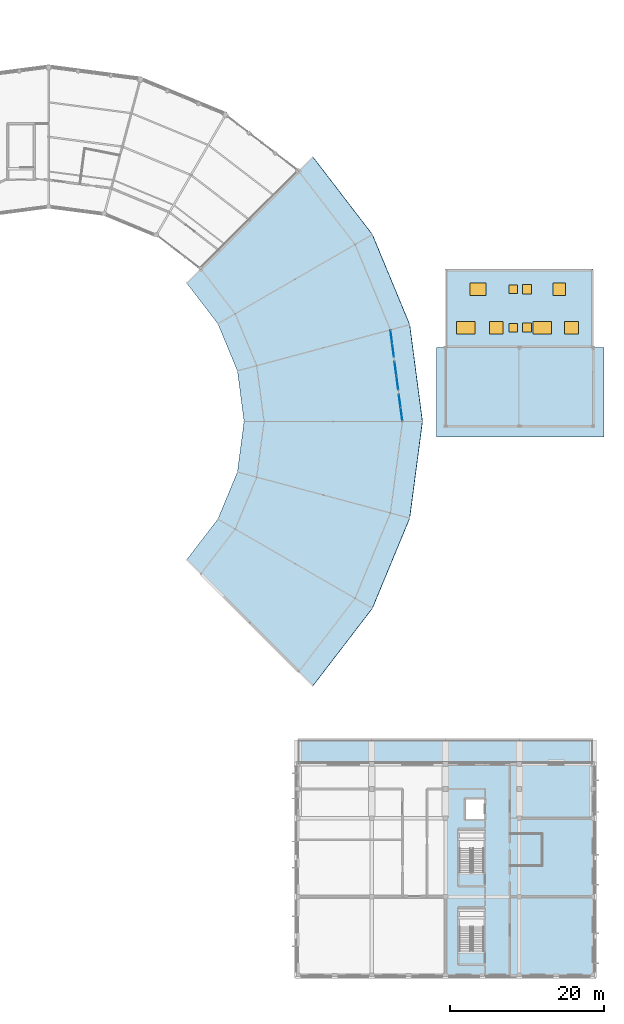
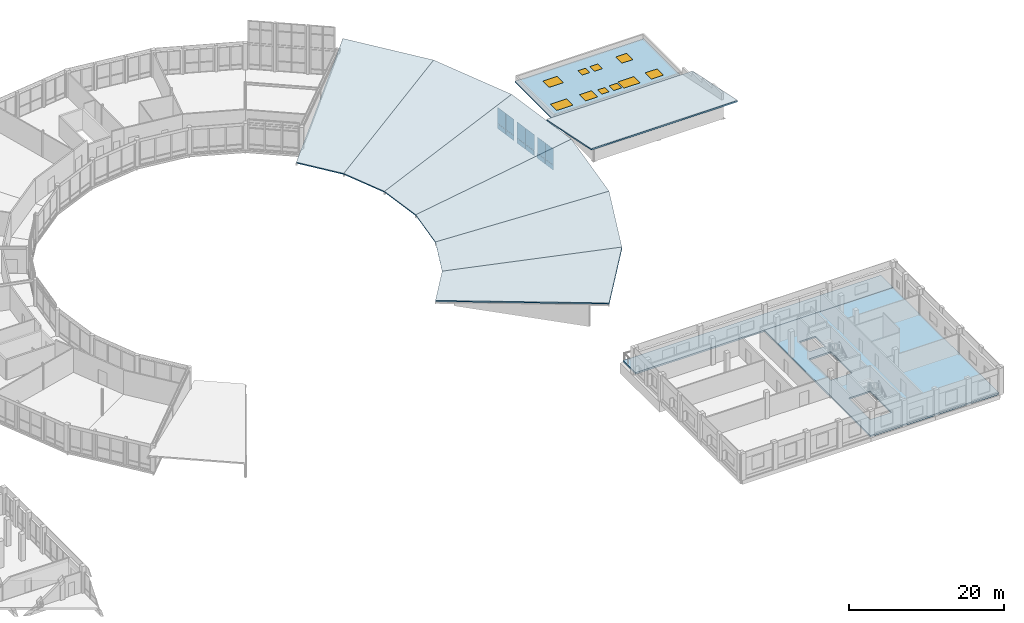
# One storey, part 141 of 200: 12 plates, 10 slabs, 6 windows, 4 doors, 10 openings, 3 elements without a shape of their own.
"""IFC4 building model written with IfcOpenShell, lengths in metres."""

from ifc_helpers import new_model, si_unit, direction, frame, origin, origin_2d, place, context, subcontext, project, spatial, polyline, rectangle, outline, extrude, material, layer, layer_set, type_object, element, fill, aggregate, save


model = new_model("IFC4")

# Units and contexts
model_context = context("Model", 3, precision=1e-05, world=origin(), true_north=direction((0.0, 1.0)))
body_context = subcontext(model_context, "Body", "Model", "MODEL_VIEW")
ifc_project = project(units=[si_unit("LENGTHUNIT", "METRE"), si_unit("AREAUNIT", "SQUARE_METRE"), si_unit("VOLUMEUNIT", "CUBIC_METRE"), si_unit("PLANEANGLEUNIT", "RADIAN"), si_unit("MASSUNIT", "GRAM", prefix="KILO")], contexts=[model_context])

# Site, building, storey
site_placement = place(None, origin())
site = spatial("IfcSite", under=ifc_project, at=site_placement, CompositionType="ELEMENT")
building_placement = place(site_placement, origin())
building = spatial("IfcBuilding", under=site, at=building_placement, Name="Vondelvale Polytechnic", CompositionType="ELEMENT")
storey_placement = place(building_placement, frame((0.0, 0.0, 13.800048828125)))
storey = spatial("IfcBuildingStorey", under=building, at=storey_placement, Name="L03", CompositionType="ELEMENT", Elevation=13.800048828125)

# Curtain wall, plates
ifc_material_1 = material(Name="Glulam GL18 structural Tasmanian oak (fb = 42 MPa)", Category="wood")
curtain_wall_type = type_object("IfcCurtainWallType", Name="CW-RING-OUTER", PredefinedType="NOTDEFINED", material=ifc_material_1)
curtain_wall_1_placement = place(storey_placement, origin())
curtain_wall_1 = element("IfcCurtainWall", 1, at=curtain_wall_1_placement, inside=storey, type_object=curtain_wall_type, Name="L03 architectural curtain wall CW-04-382", PredefinedType="NOTDEFINED")
ifc_material_2 = material(Name="Double-glazed low-E insulated architectural glass", Category="glass")
ifc_layer_1 = layer(ifc_material_2, 0.028076171875)
ifc_layer_set_1 = layer_set([ifc_layer_1], Name="CW-PANEL-GLAZED")
plate_type_1 = type_object("IfcPlateType", Name="CW-PANEL-GLAZED", PredefinedType="CURTAIN_PANEL", material=ifc_layer_set_1)
plate_1_placement = place(storey_placement, frame((147.87939453125, 72.91650390625, 0.8798828125), z_axis=(0.0, 0.0, 1.0), x_axis=(-0.130518952959, 0.991445814414, 0.0)))
plate_1 = element("IfcPlate", 2, at=plate_1_placement, type_object=plate_type_1, Name="CW-04-382 panel 1.2", PredefinedType="CURTAIN_PANEL", context=body_context, shape_type="SweptSolid", body=[
    extrude(rectangle(XDim=1.688720703125, YDim=0.028076171875, at=origin_2d()), origin(), (0.0, 0.0, 1.0), 2.521484375),
])
plate_2_placement = place(storey_placement, frame((147.650390625, 74.6552734375, 0.8798828125), z_axis=(0.0, 0.0, 1.0), x_axis=(-0.130518952959, 0.991445814414, 0.0)))
plate_2 = element("IfcPlate", 3, at=plate_2_placement, type_object=plate_type_1, Name="CW-04-382 panel 2.2", PredefinedType="CURTAIN_PANEL", context=body_context, shape_type="SweptSolid", body=[
    extrude(rectangle(XDim=1.688720703125, YDim=0.028076171875, at=origin_2d()), origin(), (0.0, 0.0, 1.0), 2.521484375),
])

curtain_wall_2_placement = place(storey_placement, origin())
curtain_wall_2 = element("IfcCurtainWall", 4, at=curtain_wall_2_placement, inside=storey, type_object=curtain_wall_type, Name="L03 architectural curtain wall CW-04-383", PredefinedType="NOTDEFINED")
plate_3_placement = place(storey_placement, frame((147.338623046875, 77.02392578125, 0.8798828125), z_axis=(0.0, 0.0, 1.0), x_axis=(-0.130548808277, 0.991441883651, 0.0)))
plate_3 = element("IfcPlate", 5, at=plate_3_placement, type_object=plate_type_1, Name="CW-04-383 panel 1.2", PredefinedType="CURTAIN_PANEL", context=body_context, shape_type="SweptSolid", body=[
    extrude(rectangle(XDim=1.80908203125, YDim=0.028076171875, at=origin_2d()), origin(), (0.0, 0.0, 1.0), 2.521484375),
])
plate_4_placement = place(storey_placement, frame((147.093994140625, 78.8818359375, 0.8798828125), z_axis=(0.0, 0.0, 1.0), x_axis=(-0.130548808277, 0.991441883651, 0.0)))
plate_4 = element("IfcPlate", 6, at=plate_4_placement, type_object=plate_type_1, Name="CW-04-383 panel 2.2", PredefinedType="CURTAIN_PANEL", context=body_context, shape_type="SweptSolid", body=[
    extrude(rectangle(XDim=1.80908203125, YDim=0.028076171875, at=origin_2d()), origin(), (0.0, 0.0, 1.0), 2.521484375),
])

curtain_wall_3_placement = place(storey_placement, origin())
curtain_wall_3 = element("IfcCurtainWall", 7, at=curtain_wall_3_placement, inside=storey, type_object=curtain_wall_type, Name="L03 architectural curtain wall CW-04-384", PredefinedType="NOTDEFINED")
plate_5_placement = place(storey_placement, frame((146.7822265625, 81.250244140625, 0.8798828125), z_axis=(0.0, 0.0, 1.0), x_axis=(-0.130518952959, 0.991445814414, 0.0)))
plate_5 = element("IfcPlate", 8, at=plate_5_placement, type_object=plate_type_1, Name="CW-04-384 panel 1.2", PredefinedType="CURTAIN_PANEL", context=body_context, shape_type="SweptSolid", body=[
    extrude(rectangle(XDim=1.688720703125, YDim=0.028076171875, at=origin_2d()), origin(), (0.0, 0.0, 1.0), 2.521484375),
])
plate_6_placement = place(storey_placement, frame((146.55322265625, 82.9892578125, 0.8798828125), z_axis=(0.0, 0.0, 1.0), x_axis=(-0.130518952959, 0.991445814414, 0.0)))
plate_6 = element("IfcPlate", 9, at=plate_6_placement, type_object=plate_type_1, Name="CW-04-384 panel 2.2", PredefinedType="CURTAIN_PANEL", context=body_context, shape_type="SweptSolid", body=[
    extrude(rectangle(XDim=1.688720703125, YDim=0.028076171875, at=origin_2d()), origin(), (0.0, 0.0, 1.0), 2.521484375),
])

# Plate
ifc_material_3 = material(Name="Engineered Tasmanian oak studio and bridge joinery")
ifc_layer_2 = layer(ifc_material_3, 0.0419921875)
ifc_layer_set_2 = layer_set([ifc_layer_2], Name="CW-PANEL-OAK")
plate_type_2 = type_object("IfcPlateType", Name="CW-PANEL-OAK", PredefinedType="CURTAIN_PANEL", material=ifc_layer_set_2)
plate_7_placement = place(storey_placement, frame((147.87939453125, 72.91650390625, 0.06005859375), z_axis=(0.0, 0.0, 1.0), x_axis=(-0.130518952959, 0.991445814414, 0.0)))
plate_7 = element("IfcPlate", 10, at=plate_7_placement, type_object=plate_type_2, Name="CW-04-382 panel 1.1", PredefinedType="CURTAIN_PANEL", context=body_context, shape_type="SweptSolid", body=[
    extrude(rectangle(XDim=1.688720703125, YDim=0.0419921875, at=origin_2d()), origin(), (0.0, 0.0, 1.0), 0.760009765625),
])

plate_8_placement = place(storey_placement, frame((147.650390625, 74.6552734375, 0.06005859375), z_axis=(0.0, 0.0, 1.0), x_axis=(-0.130518952959, 0.991445814414, 0.0)))
plate_8 = element("IfcPlate", 11, at=plate_8_placement, type_object=plate_type_2, Name="CW-04-382 panel 2.1", PredefinedType="CURTAIN_PANEL", context=body_context, shape_type="SweptSolid", body=[
    extrude(rectangle(XDim=1.688720703125, YDim=0.0419921875, at=origin_2d()), origin(), (0.0, 0.0, 1.0), 0.760009765625),
])

aggregate(curtain_wall_1, [plate_7, plate_1, plate_8, plate_2])

plate_9_placement = place(storey_placement, frame((147.338623046875, 77.02392578125, 0.06005859375), z_axis=(0.0, 0.0, 1.0), x_axis=(-0.130548808277, 0.991441883651, 0.0)))
plate_9 = element("IfcPlate", 12, at=plate_9_placement, type_object=plate_type_2, Name="CW-04-383 panel 1.1", PredefinedType="CURTAIN_PANEL", context=body_context, shape_type="SweptSolid", body=[
    extrude(rectangle(XDim=1.80908203125, YDim=0.0419921875, at=origin_2d()), origin(), (0.0, 0.0, 1.0), 0.760009765625),
])

plate_10_placement = place(storey_placement, frame((147.093994140625, 78.8818359375, 0.06005859375), z_axis=(0.0, 0.0, 1.0), x_axis=(-0.130548808277, 0.991441883651, 0.0)))
plate_10 = element("IfcPlate", 13, at=plate_10_placement, type_object=plate_type_2, Name="CW-04-383 panel 2.1", PredefinedType="CURTAIN_PANEL", context=body_context, shape_type="SweptSolid", body=[
    extrude(rectangle(XDim=1.80908203125, YDim=0.0419921875, at=origin_2d()), origin(), (0.0, 0.0, 1.0), 0.760009765625),
])

aggregate(curtain_wall_2, [plate_9, plate_3, plate_10, plate_4])

plate_11_placement = place(storey_placement, frame((146.7822265625, 81.250244140625, 0.06005859375), z_axis=(0.0, 0.0, 1.0), x_axis=(-0.130518952959, 0.991445814414, 0.0)))
plate_11 = element("IfcPlate", 14, at=plate_11_placement, type_object=plate_type_2, Name="CW-04-384 panel 1.1", PredefinedType="CURTAIN_PANEL", context=body_context, shape_type="SweptSolid", body=[
    extrude(rectangle(XDim=1.688720703125, YDim=0.0419921875, at=origin_2d()), origin(), (0.0, 0.0, 1.0), 0.760009765625),
])

plate_12_placement = place(storey_placement, frame((146.55322265625, 82.9892578125, 0.06005859375), z_axis=(0.0, 0.0, 1.0), x_axis=(-0.130518952959, 0.991445814414, 0.0)))
plate_12 = element("IfcPlate", 15, at=plate_12_placement, type_object=plate_type_2, Name="CW-04-384 panel 2.1", PredefinedType="CURTAIN_PANEL", context=body_context, shape_type="SweptSolid", body=[
    extrude(rectangle(XDim=1.688720703125, YDim=0.0419921875, at=origin_2d()), origin(), (0.0, 0.0, 1.0), 0.760009765625),
])

aggregate(curtain_wall_3, [plate_11, plate_5, plate_12, plate_6])

# Slab, openings, doors, windows
ifc_material_4 = material(Name="Concrete N40 (f'c = 40 MPa)", Category="concrete")
ifc_layer_3 = layer(ifc_material_4, 0.179931640625)
ifc_layer_set_3 = layer_set([ifc_layer_3], Name="SLB-CANOPY-180")
slab_type_1 = type_object("IfcSlabType", Name="SLB-CANOPY-180", PredefinedType="ROOF", material=ifc_layer_set_3)
slab_1_placement = place(storey_placement, origin())
slab_1 = element("IfcSlab", 16, at=slab_1_placement, inside=storey, type_object=slab_type_1, Name="L03 East pavilion daylight roof monitor slab", PredefinedType="ROOF", context=body_context, shape_type="SweptSolid", body=[
    extrude(outline(polyline([(153.60009765625, 81.60009765625), (172.800048828125, 81.60009765625), (172.800048828125, 91.800048828125), (153.60009765625, 91.800048828125), (153.60009765625, 81.60009765625)])), origin(), (0.0, 0.0, 1.0), 0.179931640625),
])
opening_1_placement = place(slab_1_placement, frame((156.199951171875, 84.199951171875, 0.0)))
opening_1 = element("IfcOpeningElement", 17, at=opening_1_placement, cuts=slab_1, Name="Opening SK-05", PredefinedType="OPENING", context=body_context, shape_type="SweptSolid", body=[
    extrude(rectangle(XDim=2.39990234375, YDim=1.60009765625, at=origin_2d()), origin(), (0.0, 0.0, 1.0), 0.179931640625),
])
opening_2_placement = place(slab_1_placement, frame((160.199951171875, 84.199951171875, 0.0)))
opening_2 = element("IfcOpeningElement", 18, at=opening_2_placement, cuts=slab_1, Name="Opening SK-06", PredefinedType="OPENING", context=body_context, shape_type="SweptSolid", body=[
    extrude(rectangle(XDim=1.800048828125, YDim=1.60009765625, at=origin_2d()), origin(), (0.0, 0.0, 1.0), 0.179931640625),
])
opening_3_placement = place(slab_1_placement, frame((166.199951171875, 84.199951171875, 0.0)))
opening_3 = element("IfcOpeningElement", 19, at=opening_3_placement, cuts=slab_1, Name="Opening SK-07", PredefinedType="OPENING", context=body_context, shape_type="SweptSolid", body=[
    extrude(rectangle(XDim=2.39990234375, YDim=1.60009765625, at=origin_2d()), origin(), (0.0, 0.0, 1.0), 0.179931640625),
])
opening_4_placement = place(slab_1_placement, frame((170.0, 84.199951171875, 0.0)))
opening_4 = element("IfcOpeningElement", 20, at=opening_4_placement, cuts=slab_1, Name="Opening SK-08", PredefinedType="OPENING", context=body_context, shape_type="SweptSolid", body=[
    extrude(rectangle(XDim=1.800048828125, YDim=1.60009765625, at=origin_2d()), origin(), (0.0, 0.0, 1.0), 0.179931640625),
])
opening_5_placement = place(slab_1_placement, frame((157.800048828125, 89.199951171875, 0.0)))
opening_5 = element("IfcOpeningElement", 21, at=opening_5_placement, cuts=slab_1, Name="Opening SK-09", PredefinedType="OPENING", context=body_context, shape_type="SweptSolid", body=[
    extrude(rectangle(XDim=2.10009765625, YDim=1.60009765625, at=origin_2d()), origin(), (0.0, 0.0, 1.0), 0.179931640625),
])
opening_6_placement = place(slab_1_placement, frame((168.39990234375, 89.199951171875, 0.0)))
opening_6 = element("IfcOpeningElement", 22, at=opening_6_placement, cuts=slab_1, Name="Opening SK-10", PredefinedType="OPENING", context=body_context, shape_type="SweptSolid", body=[
    extrude(rectangle(XDim=1.60009765625, YDim=1.60009765625, at=origin_2d()), origin(), (0.0, 0.0, 1.0), 0.179931640625),
])
opening_7_placement = place(slab_1_placement, frame((162.39990234375, 84.199951171875, 0.0)))
opening_7 = element("IfcOpeningElement", 23, at=opening_7_placement, cuts=slab_1, Name="Opening RH-03", PredefinedType="OPENING", context=body_context, shape_type="SweptSolid", body=[
    extrude(rectangle(XDim=1.10009765625, YDim=1.10009765625, at=origin_2d()), origin(), (0.0, 0.0, 1.0), 0.179931640625),
])
opening_8_placement = place(slab_1_placement, frame((164.199951171875, 84.199951171875, 0.0)))
opening_8 = element("IfcOpeningElement", 24, at=opening_8_placement, cuts=slab_1, Name="Opening RH-04", PredefinedType="OPENING", context=body_context, shape_type="SweptSolid", body=[
    extrude(rectangle(XDim=1.199951171875, YDim=1.199951171875, at=origin_2d()), origin(), (0.0, 0.0, 1.0), 0.179931640625),
])
opening_9_placement = place(slab_1_placement, frame((162.39990234375, 89.199951171875, 0.0)))
opening_9 = element("IfcOpeningElement", 25, at=opening_9_placement, cuts=slab_1, Name="Opening RH-05", PredefinedType="OPENING", context=body_context, shape_type="SweptSolid", body=[
    extrude(rectangle(XDim=1.10009765625, YDim=1.10009765625, at=origin_2d()), origin(), (0.0, 0.0, 1.0), 0.179931640625),
])
opening_10_placement = place(slab_1_placement, frame((164.199951171875, 89.199951171875, 0.0)))
opening_10 = element("IfcOpeningElement", 26, at=opening_10_placement, cuts=slab_1, Name="Opening RH-06", PredefinedType="OPENING", context=body_context, shape_type="SweptSolid", body=[
    extrude(rectangle(XDim=1.199951171875, YDim=1.199951171875, at=origin_2d()), origin(), (0.0, 0.0, 1.0), 0.179931640625),
])
ifc_material_5 = material(Name="Brushed architectural stainless and zinc-coated metal")
door_type_1 = type_object("IfcDoorType", Name="DR-HATCH-1100x1100", OperationType="SINGLE_SWING_LEFT", PredefinedType="TRAPDOOR", material=ifc_material_5)
door_1_placement = place(opening_7_placement, frame((0.0, 0.0, 0.1298828125)))
door_1 = element("IfcDoor", 27, at=door_1_placement, inside=storey, type_object=door_type_1, Name="East pavilion roof maintenance hatch RH-03", OperationType="SINGLE_SWING_LEFT", OverallHeight=1.10009765625, OverallWidth=1.10009765625, PredefinedType="TRAPDOOR", context=body_context, shape_type="SweptSolid", body=[
    extrude(rectangle(XDim=1.10009765625, YDim=1.10009765625, at=origin_2d()), origin(), (0.0, 0.0, 1.0), 0.050048828125),
])
fill(opening_7, door_1)
door_2_placement = place(opening_9_placement, frame((0.0, 0.0, 0.1298828125)))
door_2 = element("IfcDoor", 28, at=door_2_placement, inside=storey, type_object=door_type_1, Name="East pavilion roof maintenance hatch RH-05", OperationType="SINGLE_SWING_LEFT", OverallHeight=1.10009765625, OverallWidth=1.10009765625, PredefinedType="TRAPDOOR", context=body_context, shape_type="SweptSolid", body=[
    extrude(rectangle(XDim=1.10009765625, YDim=1.10009765625, at=origin_2d()), origin(), (0.0, 0.0, 1.0), 0.050048828125),
])
fill(opening_9, door_2)
door_type_2 = type_object("IfcDoorType", Name="DR-HATCH-1200x1200", OperationType="SINGLE_SWING_LEFT", PredefinedType="TRAPDOOR", material=ifc_material_5)
door_3_placement = place(opening_8_placement, frame((0.0, 0.0, 0.1298828125)))
door_3 = element("IfcDoor", 29, at=door_3_placement, inside=storey, type_object=door_type_2, Name="East pavilion roof maintenance hatch RH-04", OperationType="SINGLE_SWING_LEFT", OverallHeight=1.199951171875, OverallWidth=1.199951171875, PredefinedType="TRAPDOOR", context=body_context, shape_type="SweptSolid", body=[
    extrude(rectangle(XDim=1.199951171875, YDim=1.199951171875, at=origin_2d()), origin(), (0.0, 0.0, 1.0), 0.050048828125),
])
fill(opening_8, door_3)
door_4_placement = place(opening_10_placement, frame((0.0, 0.0, 0.1298828125)))
door_4 = element("IfcDoor", 30, at=door_4_placement, inside=storey, type_object=door_type_2, Name="East pavilion roof maintenance hatch RH-06", OperationType="SINGLE_SWING_LEFT", OverallHeight=1.199951171875, OverallWidth=1.199951171875, PredefinedType="TRAPDOOR", context=body_context, shape_type="SweptSolid", body=[
    extrude(rectangle(XDim=1.199951171875, YDim=1.199951171875, at=origin_2d()), origin(), (0.0, 0.0, 1.0), 0.050048828125),
])
fill(opening_10, door_4)
ifc_material_6 = material(Name="Laminated acoustic safety glazing", Category="glass")
window_type_1 = type_object("IfcWindowType", Name="SKY-MOD-1600x1600", PartitioningType="SINGLE_PANEL", PredefinedType="SKYLIGHT", material=ifc_material_6)
window_1_placement = place(opening_6_placement, frame((0.0, 0.0, 0.1298828125)))
window_1 = element("IfcWindow", 31, at=window_1_placement, inside=storey, type_object=window_type_1, Name="East wing daylight roof skylight SK-10", OverallHeight=1.60009765625, OverallWidth=1.60009765625, PartitioningType="SINGLE_PANEL", PredefinedType="SKYLIGHT", context=body_context, shape_type="SweptSolid", body=[
    extrude(rectangle(XDim=1.60009765625, YDim=1.60009765625, at=origin_2d()), origin(), (0.0, 0.0, 1.0), 0.050048828125),
])
fill(opening_6, window_1)
window_type_2 = type_object("IfcWindowType", Name="SKY-MOD-1800x1600", PartitioningType="SINGLE_PANEL", PredefinedType="SKYLIGHT", material=ifc_material_6)
window_2_placement = place(opening_2_placement, frame((0.0, 0.0, 0.1298828125)))
window_2 = element("IfcWindow", 32, at=window_2_placement, inside=storey, type_object=window_type_2, Name="East wing daylight roof skylight SK-06", OverallHeight=1.60009765625, OverallWidth=1.800048828125, PartitioningType="SINGLE_PANEL", PredefinedType="SKYLIGHT", context=body_context, shape_type="SweptSolid", body=[
    extrude(rectangle(XDim=1.800048828125, YDim=1.60009765625, at=origin_2d()), origin(), (0.0, 0.0, 1.0), 0.050048828125),
])
fill(opening_2, window_2)
window_3_placement = place(opening_4_placement, frame((0.0, 0.0, 0.1298828125)))
window_3 = element("IfcWindow", 33, at=window_3_placement, inside=storey, type_object=window_type_2, Name="East wing daylight roof skylight SK-08", OverallHeight=1.60009765625, OverallWidth=1.800048828125, PartitioningType="SINGLE_PANEL", PredefinedType="SKYLIGHT", context=body_context, shape_type="SweptSolid", body=[
    extrude(rectangle(XDim=1.800048828125, YDim=1.60009765625, at=origin_2d()), origin(), (0.0, 0.0, 1.0), 0.050048828125),
])
fill(opening_4, window_3)
window_type_3 = type_object("IfcWindowType", Name="SKY-MOD-2100x1600", PartitioningType="SINGLE_PANEL", PredefinedType="SKYLIGHT", material=ifc_material_6)
window_4_placement = place(opening_5_placement, frame((0.0, 0.0, 0.1298828125)))
window_4 = element("IfcWindow", 34, at=window_4_placement, inside=storey, type_object=window_type_3, Name="East wing daylight roof skylight SK-09", OverallHeight=1.60009765625, OverallWidth=2.10009765625, PartitioningType="SINGLE_PANEL", PredefinedType="SKYLIGHT", context=body_context, shape_type="SweptSolid", body=[
    extrude(rectangle(XDim=2.10009765625, YDim=1.60009765625, at=origin_2d()), origin(), (0.0, 0.0, 1.0), 0.050048828125),
])
fill(opening_5, window_4)
window_type_4 = type_object("IfcWindowType", Name="SKY-MOD-2400x1600", PartitioningType="SINGLE_PANEL", PredefinedType="SKYLIGHT", material=ifc_material_6)
window_5_placement = place(opening_1_placement, frame((0.0, 0.0, 0.1298828125)))
window_5 = element("IfcWindow", 35, at=window_5_placement, inside=storey, type_object=window_type_4, Name="East wing daylight roof skylight SK-05", OverallHeight=1.60009765625, OverallWidth=2.39990234375, PartitioningType="SINGLE_PANEL", PredefinedType="SKYLIGHT", context=body_context, shape_type="SweptSolid", body=[
    extrude(rectangle(XDim=2.39990234375, YDim=1.60009765625, at=origin_2d()), origin(), (0.0, 0.0, 1.0), 0.050048828125),
])
fill(opening_1, window_5)
window_6_placement = place(opening_3_placement, frame((0.0, 0.0, 0.1298828125)))
window_6 = element("IfcWindow", 36, at=window_6_placement, inside=storey, type_object=window_type_4, Name="East wing daylight roof skylight SK-07", OverallHeight=1.60009765625, OverallWidth=2.39990234375, PartitioningType="SINGLE_PANEL", PredefinedType="SKYLIGHT", context=body_context, shape_type="SweptSolid", body=[
    extrude(rectangle(XDim=2.39990234375, YDim=1.60009765625, at=origin_2d()), origin(), (0.0, 0.0, 1.0), 0.050048828125),
])
fill(opening_3, window_6)

# Slabs
ifc_layer_4 = layer(ifc_material_4, 0.25)
ifc_layer_set_4 = layer_set([ifc_layer_4], Name="SLB-LAB-250")
slab_type_2 = type_object("IfcSlabType", Name="SLB-LAB-250", PredefinedType="FLOOR", material=ifc_layer_set_4)
slab_2_placement = place(storey_placement, frame((0.0, 0.0, -0.25)))
element("IfcSlab", 37, at=slab_2_placement, inside=storey, type_object=slab_type_2, Name="L03 lecture wing slab E", PredefinedType="FLOOR", context=body_context, shape_type="SweptSolid", body=[
    extrude(outline(polyline([(153.60009765625, 0.0), (172.800048828125, 0.0), (172.800048828125, 27.39990234375), (153.60009765625, 27.39990234375), (153.60009765625, 0.0)]), holes=[polyline([(158.60009765625, 3.14990234375), (158.60009765625, 8.699951171875), (155.39990234375, 8.699951171875), (155.39990234375, 3.14990234375), (158.60009765625, 3.14990234375)]), polyline([(158.60009765625, 13.35009765625), (158.60009765625, 18.89990234375), (155.39990234375, 18.89990234375), (155.39990234375, 13.35009765625), (158.60009765625, 13.35009765625)]), polyline([(156.22509765625, 20.300048828125), (158.625, 20.300048828125), (158.625, 22.89990234375), (156.22509765625, 22.89990234375), (156.22509765625, 20.300048828125)])]), origin(), (0.0, 0.0, 1.0), 0.25),
])
ifc_layer_5 = layer(ifc_material_4, 0.199951171875)
ifc_layer_set_5 = layer_set([ifc_layer_5], Name="SLB-ROOF-200")
slab_type_3 = type_object("IfcSlabType", Name="SLB-ROOF-200", PredefinedType="ROOF", material=ifc_layer_set_5)
slab_3_placement = place(storey_placement, frame((127.39990234375, 72.0, 0.300048828125), z_axis=(-0.161593222401, -0.02127413735, 0.986628117152), x_axis=(0.986851461444, -1.6e-10, 0.161629802466)))
element("IfcSlab", 38, at=slab_3_placement, inside=storey, type_object=slab_type_3, Name="Ring inward-sloping dark roof slab sector 00", PredefinedType="ROOF", context=body_context, shape_type="SweptSolid", body=[
    extrude(outline(polyline([(0.0, 0.0), (23.50930833098443, 0.0), (21.87507652649069, 12.581460721820193), (-0.8540987390432433, 6.575462764679027), (0.0, 0.0)])), origin(), (0.0, 0.0, -1.0), 0.199951171875),
])
slab_4_placement = place(storey_placement, frame((126.534423828125, 78.573974609375, 0.300048828125), z_axis=(-0.150581581556, -0.062372410018, 0.986628030093), x_axis=(0.953225372528, 0.255415370964, 0.1616303729)))
element("IfcSlab", 39, at=slab_4_placement, inside=storey, type_object=slab_type_3, Name="Ring inward-sloping dark roof slab sector 01", PredefinedType="ROOF", context=body_context, shape_type="SweptSolid", body=[
    extrude(outline(polyline([(0.0, 0.0), (23.50930496021456, -2.636779683484747e-16), (21.87501648167434, 12.581508592206315), (-0.8540011739377613, 6.57544171157285), (0.0, 0.0)])), origin(), (0.0, 0.0, -1.0), 0.199951171875),
])
slab_5_placement = place(storey_placement, frame((123.9970703125, 84.699951171875, 0.300048828125), z_axis=(-0.129307003649, -0.099220853186, 0.986628056109), x_axis=(0.854636650329, 0.493428682551, 0.161630229694)))
element("IfcSlab", 40, at=slab_5_placement, inside=storey, type_object=slab_type_3, Name="Ring inward-sloping dark roof slab sector 02", PredefinedType="ROOF", context=body_context, shape_type="SweptSolid", body=[
    extrude(outline(polyline([(0.0, 0.0), (23.50917018875385, -1.7763568394002505e-15), (21.875050875044618, 12.58146499574931), (-0.8541637093792294, 6.575526892433183), (0.0, 0.0)])), origin(), (0.0, 0.0, -1.0), 0.199951171875),
])
slab_6_placement = place(storey_placement, frame((119.96044921875, 54.03955078125, 0.300048828125), z_axis=(-0.129307003649, 0.099220853186, 0.986628056109), x_axis=(0.697809309167, -0.697809324875, 0.161630177121)))
element("IfcSlab", 41, at=slab_6_placement, inside=storey, type_object=slab_type_3, Name="Ring inward-sloping dark roof slab sector 21", PredefinedType="ROOF", context=body_context, shape_type="SweptSolid", body=[
    extrude(outline(polyline([(0.0, 0.0), (23.509327683403676, 1.1518563880486e-15), (21.87502950214247, 12.581441762589419), (-0.8540328137971462, 6.575543894499543), (0.0, 0.0)])), origin(), (0.0, 0.0, -1.0), 0.199951171875),
])
slab_7_placement = place(storey_placement, frame((123.9970703125, 59.300048828125, 0.300048828125), z_axis=(-0.150581581556, 0.062372410018, 0.986628030093), x_axis=(0.854636667473, -0.493428665813, 0.161630190141)))
element("IfcSlab", 42, at=slab_7_placement, inside=storey, type_object=slab_type_3, Name="Ring inward-sloping dark roof slab sector 22", PredefinedType="ROOF", context=body_context, shape_type="SweptSolid", body=[
    extrude(outline(polyline([(0.0, 0.0), (23.509170188753345, 3.608224830031759e-16), (21.874930865438927, 12.581514977179163), (-0.8542170892393224, 6.57541366545335), (0.0, 0.0)])), origin(), (0.0, 0.0, -1.0), 0.199951171875),
])
slab_8_placement = place(storey_placement, frame((126.534423828125, 65.426025390625, 0.300048828125), z_axis=(-0.161593222401, 0.02127413735, 0.986628117152), x_axis=(0.953225458396, -0.255415406189, 0.161629810825)))
element("IfcSlab", 43, at=slab_8_placement, inside=storey, type_object=slab_type_3, Name="Ring inward-sloping dark roof slab sector 23", PredefinedType="ROOF", context=body_context, shape_type="SweptSolid", body=[
    extrude(outline(polyline([(0.0, 0.0), (23.50930496021827, 7.355227538141662e-16), (21.875080284105206, 12.581461647738164), (-0.8540982403398211, 6.575462829456495), (0.0, 0.0)])), origin(), (0.0, 0.0, -1.0), 0.199951171875),
])
slab_9_placement = place(storey_placement, frame((152.39990234375, 70.0, 3.14990234375), z_axis=(0.0, 0.202596062806, 0.979262393506), x_axis=(1.0, 0.0, 0.0)))
element("IfcSlab", 44, at=slab_9_placement, inside=storey, type_object=slab_type_3, Name="Refectory wing pitched roof slab", PredefinedType="ROOF", context=body_context, shape_type="SweptSolid", body=[
    extrude(outline(polyline([(0.0, 0.0), (21.800048828125, 0.0), (21.800048828125, 11.845750161727768), (0.0, 11.845750161727768), (0.0, 0.0)])), origin(), (0.0, 0.0, -1.0), 0.199951171875),
])
ifc_layer_6 = layer(ifc_material_4, 0.260009765625)
ifc_layer_set_6 = layer_set([ifc_layer_6], Name="SLB-TERRACE-260")
slab_type_4 = type_object("IfcSlabType", Name="SLB-TERRACE-260", PredefinedType="FLOOR", material=ifc_layer_set_6)
slab_10_placement = place(storey_placement, frame((0.0, 0.0, -0.260009765625)))
element("IfcSlab", 45, at=slab_10_placement, inside=storey, type_object=slab_type_4, Name="L03 lecture wing planted roof garden slab", PredefinedType="FLOOR", context=body_context, shape_type="SweptSolid", body=[
    extrude(outline(polyline([(134.39990234375, 27.39990234375), (172.800048828125, 27.39990234375), (172.800048828125, 30.60009765625), (134.39990234375, 30.60009765625), (134.39990234375, 27.39990234375)])), origin(), (0.0, 0.0, 1.0), 0.260009765625),
])

save(model, "model.ifc")
